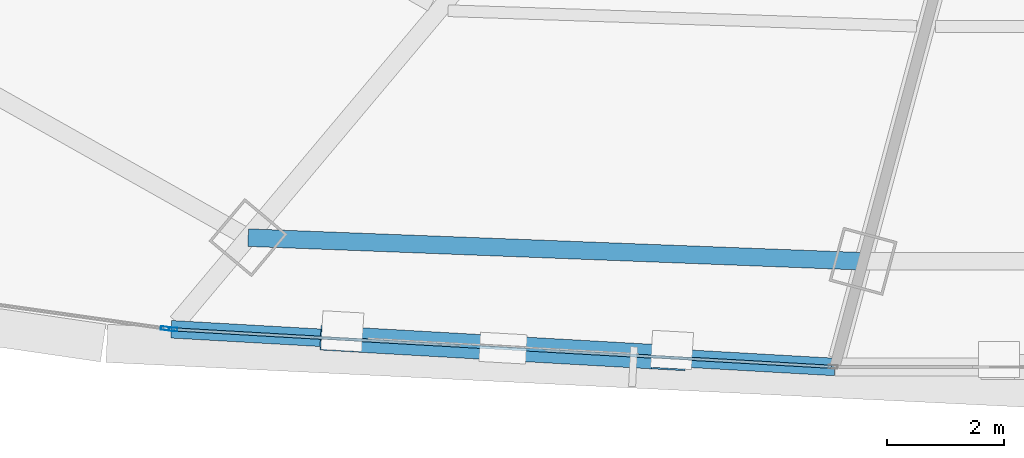
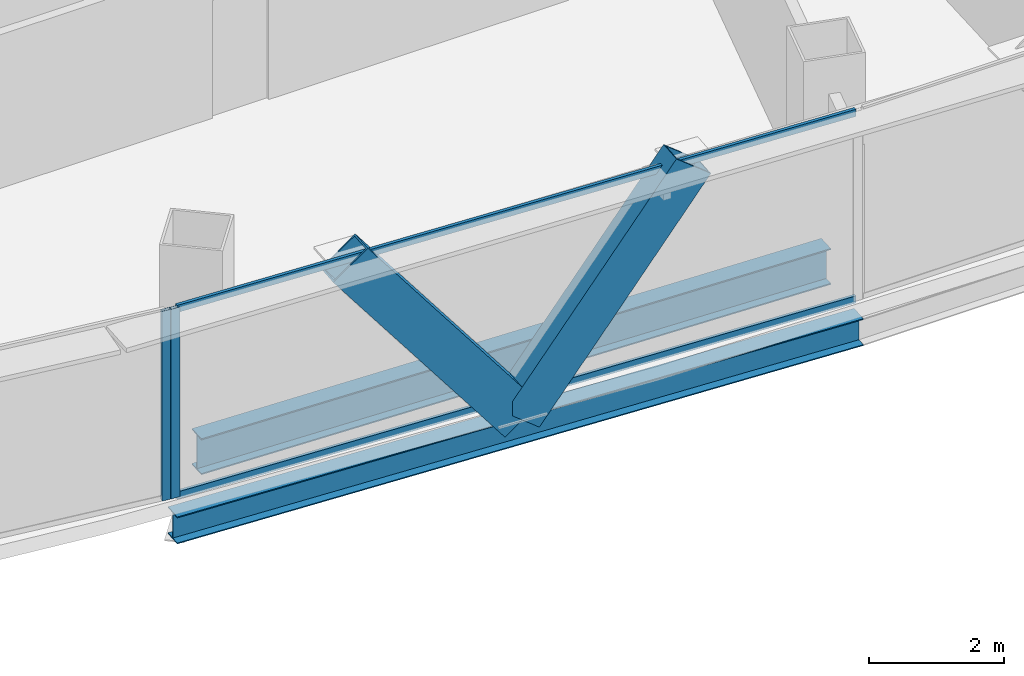
# One storey, part 6 of 42: 6 members, 2 beams, 2 elements without a shape of their own.
"""IFC4 building model written with IfcOpenShell, lengths in metres."""

from ifc_helpers import new_model, si_unit, direction, frame, origin, origin_2d, place, context, subcontext, project, spatial, hollow_rectangle, i_section, extrude, source, transform, mapped, material, layer, layer_set, material_profile, profile_set, type_object, element, aggregate, save


model = new_model("IFC4")

# Units and contexts
model_context = context("Model", 3, precision=1e-05, world=origin(), true_north=direction((0.0, 1.0)))
body_context = subcontext(model_context, "Body", "Model", "MODEL_VIEW")
ifc_project = project(units=[si_unit("LENGTHUNIT", "METRE"), si_unit("AREAUNIT", "SQUARE_METRE"), si_unit("VOLUMEUNIT", "CUBIC_METRE"), si_unit("PLANEANGLEUNIT", "RADIAN"), si_unit("MASSUNIT", "GRAM", prefix="KILO"), si_unit("THERMODYNAMICTEMPERATUREUNIT", "KELVIN"), si_unit("POWERUNIT", "WATT")], contexts=[model_context])

# Site, building, storey
site_placement = place(None, origin())
site = spatial("IfcSite", under=ifc_project, at=site_placement, CompositionType="ELEMENT")
building_placement = place(site_placement, origin())
building = spatial("IfcBuilding", under=site, at=building_placement, Name="Yunzhuo Pagoda Commons", CompositionType="ELEMENT")
storey_placement = place(building_placement, frame((0.0, 0.0, 137.18994140625)))
storey = spatial("IfcBuildingStorey", under=building, at=storey_placement, Name="L34", CompositionType="ELEMENT", Elevation=137.18994140625)

# Beams
ifc_material_1 = material(Name="Structural steel Q355B", Category="steel")
ifc_material_profile_1 = material_profile(ifc_material_1, i_section(OverallWidth=0.300048828125, OverallDepth=0.488037109375, WebThickness=0.010986328125, FlangeThickness=0.01806640625, at=origin_2d()), Name="Structural steel Q355B")
ifc_profile_set_1 = profile_set([ifc_material_profile_1], Name="Structural steel Q355B")
beam_type_1 = type_object("IfcBeamType", Name="B-SP1 Beam HM 488x300x11x18", PredefinedType="BEAM", material=ifc_profile_set_1)
shared_shape_1 = source(origin(), body_context, "Body", "SweptSolid", [
    extrude(i_section(OverallWidth=0.300048828125, OverallDepth=0.488037109375, WebThickness=0.010986328125, FlangeThickness=0.01806640625, at=origin_2d()), origin(), (0.0, 0.0, 1.0), 11.34814453125),
])
beam_1_placement = place(storey_placement, frame((31.101806640625, 13.561279296875, -0.50390625), z_axis=(0.998390672401, -0.056710362929, 0.0), x_axis=(0.056710362929, 0.998390672401, 0.0)))
element("IfcBeam", 1, at=beam_1_placement, inside=storey, type_object=beam_type_1, Name="L34 facade edge spandrel beam F1.1", PredefinedType="BEAM", context=body_context, shape_type="MappedRepresentation", body=[
    mapped(shared_shape_1, transform((0.0, 0.0, 0.0), scale=1.0)),
])
ifc_material_profile_2 = material_profile(ifc_material_1, i_section(OverallWidth=0.300048828125, OverallDepth=0.64990234375, WebThickness=0.012939453125, FlangeThickness=0.02197265625, at=origin_2d()), Name="Structural steel Q355B")
ifc_profile_set_2 = profile_set([ifc_material_profile_2], Name="Structural steel Q355B")
beam_type_2 = type_object("IfcBeamType", Name="B-RG2 Beam HN 650x300x13x22", PredefinedType="BEAM", material=ifc_profile_set_2)
shared_shape_2 = source(origin(), body_context, "Body", "SweptSolid", [
    extrude(i_section(OverallWidth=0.300048828125, OverallDepth=0.64990234375, WebThickness=0.012939453125, FlangeThickness=0.02197265625, at=origin_2d()), origin(), (0.0, 0.0, 1.0), 10.5078125),
])
beam_2_placement = place(storey_placement, frame((32.414794921875, 15.126220703125, -0.584716796875), z_axis=(0.999258632812, -0.03849915259, 0.0), x_axis=(0.03849915259, 0.999258632812, 0.0)))
element("IfcBeam", 2, at=beam_2_placement, inside=storey, type_object=beam_type_2, Name="L34 column-ring beam 1", PredefinedType="BEAM", context=body_context, shape_type="MappedRepresentation", body=[
    mapped(shared_shape_2, transform((0.0, 0.0, 0.0), scale=1.0)),
])

# Members
ifc_material_2 = material(Name="Structural steel Q420B", Category="steel")
ifc_material_profile_3 = material_profile(ifc_material_2, hollow_rectangle(XDim=0.419921875, YDim=0.719970703125, WallThickness=0.028076171875, at=origin_2d()), Name="Structural steel Q420B")
ifc_profile_set_3 = profile_set([ifc_material_profile_3], Name="Structural steel Q420B")
member_type_1 = type_object("IfcMemberType", Name="M-DL1 Brace BOX 720x420x28", PredefinedType="BRACE", material=ifc_profile_set_3)
shared_shape_3 = source(origin(), body_context, "Body", "SweptSolid", [
    extrude(hollow_rectangle(XDim=0.419921875, YDim=0.719970703125, WallThickness=0.028076171875, at=origin_2d()), origin(), (0.0, 0.0, 1.0), 4.646728515625),
])
for number, where, z_axis, x_axis, name in (
    (3, (36.7666015625, 13.239501953125, -0.260009765625), (-0.609563531852, 0.034623544862, 0.79198075152), (-0.056709144864, -0.998390741588, 0.0), "L34 facade diamond brace F1.1L"),
    (4, (36.7666015625, 13.239501953125, -0.260009765625), (0.609530512733, -0.034624653727, 0.79200611576), (0.056714017439, 0.998390464811, 0.0), "L34 facade diamond brace F1.1R"),
):
    element("IfcMember", number, at=place(storey_placement, frame(where, z_axis=z_axis, x_axis=x_axis)), inside=storey, type_object=member_type_1, Name=name, PredefinedType="BRACE", context=body_context, shape_type="MappedRepresentation", body=[
        mapped(shared_shape_3, transform((0.0, 0.0, 0.0), scale=1.0)),
    ])

# Curtain wall, members
ifc_material_3 = material(Name="Anodized aluminium 6063-T6", Category="aluminium")
ifc_layer = layer(ifc_material_3, 0.14990234375)
ifc_layer_set = layer_set([ifc_layer], Name="Anodized aluminium 6063-T6")
curtain_wall_type = type_object("IfcCurtainWallType", Name="CW-MID Mid-Zone Ribbon Curtain Wall", PredefinedType="NOTDEFINED", material=ifc_layer_set)
curtain_wall_1_placement = place(storey_placement, origin())
curtain_wall_1 = element("IfcCurtainWall", 5, at=curtain_wall_1_placement, inside=storey, type_object=curtain_wall_type, Name="L34 curtain wall CW-L34-F1B2", PredefinedType="NOTDEFINED")
ifc_material_profile_4 = material_profile(ifc_material_3, hollow_rectangle(XDim=0.054931640625, YDim=0.1298828125, WallThickness=0.00341796875, at=origin_2d()), Name="Anodized aluminium 6063-T6")
ifc_profile_set_4 = profile_set([ifc_material_profile_4], Name="Anodized aluminium 6063-T6")
member_type_2 = type_object("IfcMemberType", Name="CW-MID-T Transom RHS 130x55x3.5", PredefinedType="USERDEFINED", material=ifc_profile_set_4)
shared_shape_4 = source(origin(), body_context, "Body", "SweptSolid", [
    extrude(hollow_rectangle(XDim=0.054931640625, YDim=0.1298828125, WallThickness=0.00341796875, at=origin_2d()), origin(), (0.0, 0.0, 1.0), 11.227783203125),
])
member_1_placement = place(storey_placement, frame((31.16162109375, 13.558349609375, 0.027587890625), z_axis=(0.998387042838, -0.056774225609, 0.0), x_axis=(0.056774225609, 0.998387042838, 0.0)))
member_1 = element("IfcMember", 6, at=member_1_placement, type_object=member_type_2, Name="CW transom 1.1", ObjectType="TRANSOM", PredefinedType="USERDEFINED", context=body_context, shape_type="MappedRepresentation", body=[
    mapped(shared_shape_4, transform((0.0, 0.0, 0.0), scale=1.0)),
])
member_2_placement = place(storey_placement, frame((31.16162109375, 13.558349609375, 3.392822265625), z_axis=(0.998387042838, -0.056774225609, 0.0), x_axis=(0.056774225609, 0.998387042838, 0.0)))
member_2 = element("IfcMember", 7, at=member_2_placement, type_object=member_type_2, Name="CW transom 1.2", ObjectType="TRANSOM", PredefinedType="USERDEFINED", context=body_context, shape_type="MappedRepresentation", body=[
    mapped(shared_shape_4, transform((0.0, 0.0, 0.0), scale=1.0)),
])
ifc_material_profile_5 = material_profile(ifc_material_3, hollow_rectangle(XDim=0.06005859375, YDim=0.14990234375, WallThickness=0.00390625, at=origin_2d()), Name="Anodized aluminium 6063-T6")
ifc_profile_set_5 = profile_set([ifc_material_profile_5], Name="Anodized aluminium 6063-T6")
member_type_3 = type_object("IfcMemberType", Name="CW-MID-M Mullion RHS 150x60x4", PredefinedType="MULLION", material=ifc_profile_set_5)
shared_shape_5 = source(origin(), body_context, "Body", "SweptSolid", [
    extrude(hollow_rectangle(XDim=0.06005859375, YDim=0.14990234375, WallThickness=0.00390625, at=origin_2d()), origin(), (0.0, 0.0, 1.0), 3.420166015625),
])
member_3_placement = place(storey_placement, frame((31.131591796875, 13.56005859375, 0.0), z_axis=(0.0, 0.0, 1.0), x_axis=(0.056741862165, 0.99838888269, 0.0)))
member_3 = element("IfcMember", 8, at=member_3_placement, type_object=member_type_3, Name="CW mullion 1", PredefinedType="MULLION", context=body_context, shape_type="MappedRepresentation", body=[
    mapped(shared_shape_5, transform((0.0, 0.0, 0.0), scale=1.0)),
])
aggregate(curtain_wall_1, [member_3, member_1, member_2])

# Curtain wall, member
curtain_wall_2_placement = place(storey_placement, origin())
curtain_wall_2 = element("IfcCurtainWall", 9, at=curtain_wall_2_placement, inside=storey, type_object=curtain_wall_type, Name="L34 curtain wall CW-L34-F1B1", PredefinedType="NOTDEFINED")
member_4_placement = place(storey_placement, frame((30.997802734375, 13.576171875, 0.0), z_axis=(0.0, 0.0, 1.0), x_axis=(0.140026939768, 0.990147694104, 0.0)))
member_4 = element("IfcMember", 10, at=member_4_placement, type_object=member_type_3, Name="CW mullion 2", PredefinedType="MULLION", context=body_context, shape_type="MappedRepresentation", body=[
    mapped(shared_shape_5, transform((0.0, 0.0, 0.0), scale=1.0)),
])
aggregate(curtain_wall_2, [member_4])

save(model, "model.ifc")
